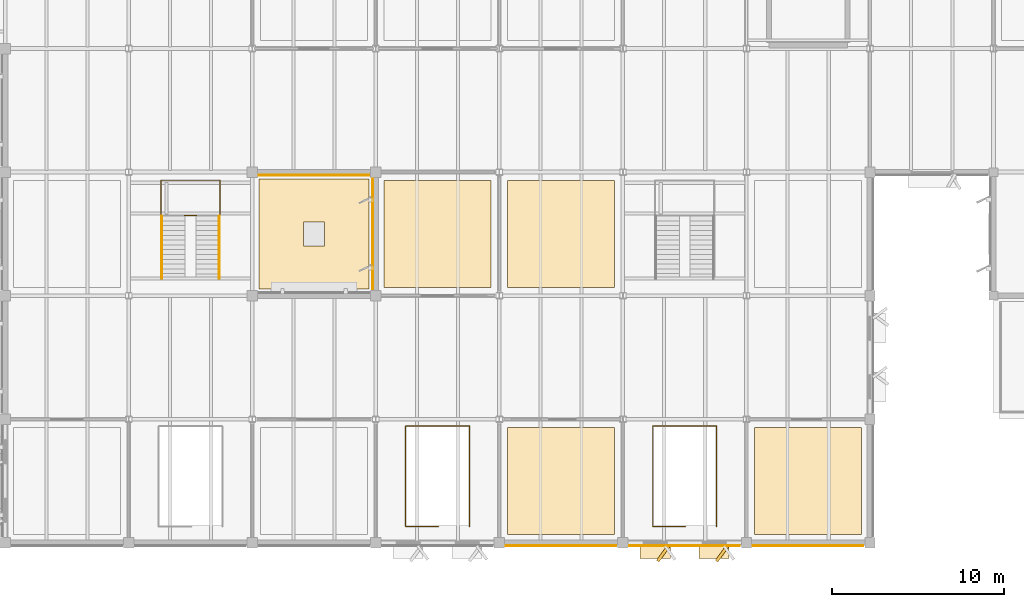
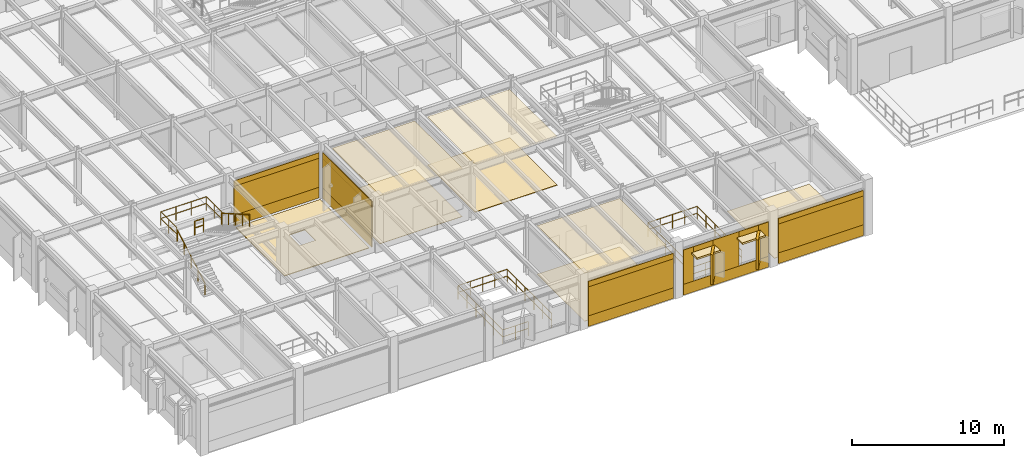
# One storey, part 81 of 92: 29 coverings, 6 railings.
"""IFC4 building model written with IfcOpenShell, lengths in metres."""

from ifc_helpers import new_model, si_unit, direction, frame, frame_2d, origin, origin_2d, place, context, subcontext, project, spatial, polyline, rectangle, circle, outline, extrude, material, layer, layer_set, type_object, element, save


model = new_model("IFC4")

# Units and contexts
model_context = context("Model", 3, precision=1e-05, world=origin(), true_north=direction((0.0, 1.0)))
body_context = subcontext(model_context, "Body", "Model", "MODEL_VIEW")
ifc_project = project(units=[si_unit("LENGTHUNIT", "METRE"), si_unit("AREAUNIT", "SQUARE_METRE"), si_unit("VOLUMEUNIT", "CUBIC_METRE"), si_unit("PLANEANGLEUNIT", "RADIAN"), si_unit("MASSUNIT", "GRAM", prefix="KILO")], contexts=[model_context])

# Site, building, storey
site_placement = place(None, origin())
site = spatial("IfcSite", under=ifc_project, at=site_placement, CompositionType="ELEMENT")
building_placement = place(site_placement, origin())
building = spatial("IfcBuilding", under=site, at=building_placement, Name="Sillqori Civic Hall", CompositionType="ELEMENT")
storey_placement = place(building_placement, frame((0.0, 0.0, 5.39990234375)))
storey = spatial("IfcBuildingStorey", under=building, at=storey_placement, Name="L02", CompositionType="ELEMENT", Elevation=5.39990234375)

# Coverings
ifc_material_1 = material(Name="Acoustic Gypsum Board Assembly 28", Category="gypsum")
ifc_layer_1 = layer(ifc_material_1, 0.028076171875)
ifc_layer_set_1 = layer_set([ifc_layer_1], Name="Acoustic Gypsum Board Assembly 28")
covering_type_1 = type_object("IfcCoveringType", Name="COV-CEIL-G28", PredefinedType="CEILING", material=ifc_layer_set_1)
covering_1_placement = place(storey_placement, frame((0.0, 0.0, 3.873046875)))
element("IfcCovering", 1, at=covering_1_placement, inside=storey, type_object=covering_type_1, Name="Atrium Exhibition Mezzanine Gallery L02-09 acoustic ceiling", PredefinedType="CEILING", context=body_context, shape_type="SweptSolid", body=[
    extrude(outline(polyline([(94.080078125, 22.080078125), (100.320068359375, 22.080078125), (100.320068359375, 28.320068359375), (94.080078125, 28.320068359375), (94.080078125, 22.080078125)])), origin(), (0.0, 0.0, 1.0), 0.028076171875),
])
ifc_material_2 = material(Name="Micro-Perforated Aluminium Plank Ceiling", Category="aluminium")
ifc_layer_2 = layer(ifc_material_2, 0.035888671875)
ifc_layer_set_2 = layer_set([ifc_layer_2], Name="Micro-Perforated Aluminium Plank Ceiling")
covering_type_2 = type_object("IfcCoveringType", Name="COV-CEIL-MET", PredefinedType="CEILING", material=ifc_layer_set_2)
covering_2_placement = place(storey_placement, frame((0.0, 0.0, 3.864990234375)))
element("IfcCovering", 2, at=covering_2_placement, inside=storey, type_object=covering_type_2, Name="Community Mediation and Legal Aid Room L02-08 acoustic ceiling", PredefinedType="CEILING", context=body_context, shape_type="SweptSolid", body=[
    extrude(outline(polyline([(94.080078125, 7.679931640625), (100.320068359375, 7.679931640625), (100.320068359375, 13.919921875), (94.080078125, 13.919921875), (94.080078125, 7.679931640625)])), origin(), (0.0, 0.0, 1.0), 0.0361328125),
])
ifc_material_3 = material(Name="Slatted Andean Cedar Acoustic Baffle", Category="timber")
ifc_layer_3 = layer(ifc_material_3, 0.0419921875)
ifc_layer_set_3 = layer_set([ifc_layer_3], Name="Slatted Andean Cedar Acoustic Baffle")
covering_type_3 = type_object("IfcCoveringType", Name="COV-CEIL-TIM", PredefinedType="CEILING", material=ifc_layer_set_3)
covering_3_placement = place(storey_placement, frame((0.0, 0.0, 3.859130859375)))
element("IfcCovering", 3, at=covering_3_placement, inside=storey, type_object=covering_type_3, Name="Citizens Tax and Property Assessment Suite L02-06 acoustic ceiling", PredefinedType="CEILING", context=body_context, shape_type="SweptSolid", body=[
    extrude(outline(polyline([(86.8798828125, 22.080078125), (93.1201171875, 22.080078125), (93.1201171875, 28.320068359375), (86.8798828125, 28.320068359375), (86.8798828125, 22.080078125)])), origin(), (0.0, 0.0, 1.0), 0.0419921875),
])
ifc_material_4 = material(Name="Cochabamba Honed Limestone Cladding", Category="masonry")
ifc_layer_4 = layer(ifc_material_4, 0.044921875)
ifc_layer_set_4 = layer_set([ifc_layer_4], Name="Cochabamba Honed Limestone Cladding")
covering_type_4 = type_object("IfcCoveringType", Name="COV-CLAD-LIME", PredefinedType="CLADDING", material=ifc_layer_set_4)
covering_4_placement = place(storey_placement, frame((86.02001953125, 28.6201171875, 0.0400390625), z_axis=(0.0, 0.0, 1.0), x_axis=(-1.0, 0.0, 0.0)))
element("IfcCovering", 4, at=covering_4_placement, inside=storey, type_object=covering_type_4, Name="L02 limestone spandrel cladding L02-11-04-S", PredefinedType="CLADDING", context=body_context, shape_type="SweptSolid", body=[
    extrude(rectangle(XDim=6.43994140625, YDim=0.044921875, at=frame_2d((3.219970703125, 0.0))), origin(), (0.0, 0.0, 1.0), 0.860107421875),
])
covering_5_placement = place(storey_placement, frame((86.02001953125, 28.6201171875, 3.22021484375), z_axis=(0.0, 0.0, 1.0), x_axis=(-1.0, 0.0, 0.0)))
element("IfcCovering", 5, at=covering_5_placement, inside=storey, type_object=covering_type_4, Name="L02 limestone frieze cladding L02-11-04-S", PredefinedType="CLADDING", context=body_context, shape_type="SweptSolid", body=[
    extrude(rectangle(XDim=6.43994140625, YDim=0.044921875, at=frame_2d((3.219970703125, 0.0))), origin(), (0.0, 0.0, 1.0), 0.43798828125),
])
covering_6_placement = place(storey_placement, frame((86.02001953125, 28.6201171875, 0.900146484375), z_axis=(0.0, 0.0, 1.0), x_axis=(-1.0, 0.0, 0.0)))
element("IfcCovering", 6, at=covering_6_placement, inside=storey, type_object=covering_type_4, Name="L02 Wedge Hall limestone pier cladding L02-11-04-S.1", PredefinedType="CLADDING", context=body_context, shape_type="SweptSolid", body=[
    extrude(rectangle(XDim=6.43994140625, YDim=0.044921875, at=frame_2d((3.219970703125, 0.0))), origin(), (0.0, 0.0, 1.0), 2.758056640625),
])
covering_7_placement = place(storey_placement, frame((86.219970703125, 21.97998046875, 0.0400390625), z_axis=(0.0, 0.0, 1.0), x_axis=(0.0, 1.0, 0.0)))
element("IfcCovering", 7, at=covering_7_placement, inside=storey, type_object=covering_type_4, Name="L02 limestone spandrel cladding L02-12-03-W", PredefinedType="CLADDING", context=body_context, shape_type="SweptSolid", body=[
    extrude(rectangle(XDim=6.43994140625, YDim=0.044921875, at=frame_2d((3.219970703125, 0.0))), origin(), (0.0, 0.0, 1.0), 0.860107421875),
])
covering_8_placement = place(storey_placement, frame((86.219970703125, 21.97998046875, 3.22021484375), z_axis=(0.0, 0.0, 1.0), x_axis=(0.0, 1.0, 0.0)))
element("IfcCovering", 8, at=covering_8_placement, inside=storey, type_object=covering_type_4, Name="L02 limestone frieze cladding L02-12-03-W", PredefinedType="CLADDING", context=body_context, shape_type="SweptSolid", body=[
    extrude(rectangle(XDim=6.43994140625, YDim=0.044921875, at=frame_2d((3.219970703125, 0.0))), origin(), (0.0, 0.0, 1.0), 0.5068359375),
])
covering_9_placement = place(storey_placement, frame((86.219970703125, 21.97998046875, 0.900146484375), z_axis=(0.0, 0.0, 1.0), x_axis=(0.0, 1.0, 0.0)))
element("IfcCovering", 9, at=covering_9_placement, inside=storey, type_object=covering_type_4, Name="L02 Wedge Hall limestone pier cladding L02-12-03-W.1", PredefinedType="CLADDING", context=body_context, shape_type="SweptSolid", body=[
    extrude(rectangle(XDim=6.43994140625, YDim=0.044921875, at=frame_2d((3.219970703125, 0.0))), origin(), (0.0, 0.0, 1.0), 2.826904296875),
])
covering_10_placement = place(storey_placement, frame((100.419921875, 7.02001953125, 0.0400390625), z_axis=(0.0, 0.0, 1.0), x_axis=(-1.0, 0.0, 0.0)))
element("IfcCovering", 10, at=covering_10_placement, inside=storey, type_object=covering_type_4, Name="L02 limestone spandrel cladding L02-13-01-S", PredefinedType="CLADDING", context=body_context, shape_type="SweptSolid", body=[
    extrude(rectangle(XDim=6.43994140625, YDim=0.044921875, at=frame_2d((3.219970703125, 0.0))), origin(), (0.0, 0.0, 1.0), 0.860107421875),
])
covering_11_placement = place(storey_placement, frame((100.419921875, 7.02001953125, 3.22021484375), z_axis=(0.0, 0.0, 1.0), x_axis=(-1.0, 0.0, 0.0)))
element("IfcCovering", 11, at=covering_11_placement, inside=storey, type_object=covering_type_4, Name="L02 limestone frieze cladding L02-13-01-S", PredefinedType="CLADDING", context=body_context, shape_type="SweptSolid", body=[
    extrude(rectangle(XDim=6.43994140625, YDim=0.044921875, at=frame_2d((3.219970703125, 0.0))), origin(), (0.0, 0.0, 1.0), 0.43798828125),
])
covering_12_placement = place(storey_placement, frame((100.419921875, 7.02001953125, 0.900146484375), z_axis=(0.0, 0.0, 1.0), x_axis=(-1.0, 0.0, 0.0)))
element("IfcCovering", 12, at=covering_12_placement, inside=storey, type_object=covering_type_4, Name="L02 Wedge Hall limestone pier cladding L02-13-01-S.1", PredefinedType="CLADDING", context=body_context, shape_type="SweptSolid", body=[
    extrude(rectangle(XDim=6.43994140625, YDim=0.044921875, at=frame_2d((3.219970703125, 0.0))), origin(), (0.0, 0.0, 1.0), 2.758056640625),
])
covering_13_placement = place(storey_placement, frame((107.6201171875, 7.02001953125, 0.0400390625), z_axis=(0.0, 0.0, 1.0), x_axis=(-1.0, 0.0, 0.0)))
element("IfcCovering", 13, at=covering_13_placement, inside=storey, type_object=covering_type_4, Name="L02 limestone spandrel cladding L02-14-01-S", PredefinedType="CLADDING", context=body_context, shape_type="SweptSolid", body=[
    extrude(rectangle(XDim=6.440185546875, YDim=0.044921875, at=frame_2d((3.22021484375, 0.0))), origin(), (0.0, 0.0, 1.0), 0.860107421875),
])
covering_14_placement = place(storey_placement, frame((107.6201171875, 7.02001953125, 3.22021484375), z_axis=(0.0, 0.0, 1.0), x_axis=(-1.0, 0.0, 0.0)))
element("IfcCovering", 14, at=covering_14_placement, inside=storey, type_object=covering_type_4, Name="L02 limestone frieze cladding L02-14-01-S", PredefinedType="CLADDING", context=body_context, shape_type="SweptSolid", body=[
    extrude(rectangle(XDim=6.440185546875, YDim=0.044921875, at=frame_2d((3.22021484375, 0.0))), origin(), (0.0, 0.0, 1.0), 0.43798828125),
])
covering_15_placement = place(storey_placement, frame((107.6201171875, 7.02001953125, 0.900146484375), z_axis=(0.0, 0.0, 1.0), x_axis=(-1.0, 0.0, 0.0)))
element("IfcCovering", 15, at=covering_15_placement, inside=storey, type_object=covering_type_4, Name="L02 Wedge Hall limestone pier cladding L02-14-01-S.1", PredefinedType="CLADDING", context=body_context, shape_type="SweptSolid", body=[
    extrude(rectangle(XDim=0.76416015625, YDim=0.044921875, at=frame_2d((0.382080078125, 0.0))), origin(), (0.0, 0.0, 1.0), 2.758056640625),
])
covering_16_placement = place(storey_placement, frame((105.3759765625, 7.02001953125, 0.900146484375), z_axis=(0.0, 0.0, 1.0), x_axis=(-1.0, 0.0, 0.0)))
element("IfcCovering", 16, at=covering_16_placement, inside=storey, type_object=covering_type_4, Name="L02 Wedge Hall limestone pier cladding L02-14-01-S.2", PredefinedType="CLADDING", context=body_context, shape_type="SweptSolid", body=[
    extrude(rectangle(XDim=1.951904296875, YDim=0.044921875, at=frame_2d((0.97607421875, 0.0))), origin(), (0.0, 0.0, 1.0), 2.758056640625),
])
covering_17_placement = place(storey_placement, frame((101.944091796875, 7.02001953125, 0.900146484375), z_axis=(0.0, 0.0, 1.0), x_axis=(-1.0, 0.0, 0.0)))
element("IfcCovering", 17, at=covering_17_placement, inside=storey, type_object=covering_type_4, Name="L02 Wedge Hall limestone pier cladding L02-14-01-S.3", PredefinedType="CLADDING", context=body_context, shape_type="SweptSolid", body=[
    extrude(rectangle(XDim=0.76416015625, YDim=0.044921875, at=frame_2d((0.382080078125, 0.0))), origin(), (0.0, 0.0, 1.0), 2.758056640625),
])
covering_18_placement = place(storey_placement, frame((106.93603515625, 7.06005859375, 0.830078125), z_axis=(0.0, 0.0, 1.0), x_axis=(-0.587805596445, -0.809002213092, 0.0)))
element("IfcCovering", 18, at=covering_18_placement, inside=storey, type_object=covering_type_4, Name="Sawtooth limestone angled reveal cheek L02-14-01-S.1", PredefinedType="CLADDING", context=body_context, shape_type="SweptSolid", body=[
    extrude(rectangle(XDim=1.150146484375, YDim=0.179931640625, at=frame_2d((0.5751953125, 0.0))), origin(), (0.0, 0.0, 1.0), 2.39990234375),
])
covering_19_placement = place(storey_placement, frame((106.99609375, 6.679931640625, 3.090087890625), z_axis=(0.0, 0.0, 1.0), x_axis=(-1.0, 0.0, 0.0)))
element("IfcCovering", 19, at=covering_19_placement, inside=storey, type_object=covering_type_4, Name="Sawtooth limestone window hood L02-14-01-S.1", PredefinedType="CLADDING", context=body_context, shape_type="SweptSolid", body=[
    extrude(rectangle(XDim=1.760009765625, YDim=0.780029296875, at=frame_2d((0.8798828125, 0.0))), origin(), (0.0, 0.0, 1.0), 0.139892578125),
])
covering_20_placement = place(storey_placement, frame((103.50390625, 7.06005859375, 0.830078125), z_axis=(0.0, 0.0, 1.0), x_axis=(-0.587805596445, -0.809002213092, 0.0)))
element("IfcCovering", 20, at=covering_20_placement, inside=storey, type_object=covering_type_4, Name="Sawtooth limestone angled reveal cheek L02-14-01-S.2", PredefinedType="CLADDING", context=body_context, shape_type="SweptSolid", body=[
    extrude(rectangle(XDim=1.150146484375, YDim=0.179931640625, at=frame_2d((0.5751953125, 0.0))), origin(), (0.0, 0.0, 1.0), 2.39990234375),
])
covering_21_placement = place(storey_placement, frame((103.56396484375, 6.679931640625, 3.090087890625), z_axis=(0.0, 0.0, 1.0), x_axis=(-1.0, 0.0, 0.0)))
element("IfcCovering", 21, at=covering_21_placement, inside=storey, type_object=covering_type_4, Name="Sawtooth limestone window hood L02-14-01-S.2", PredefinedType="CLADDING", context=body_context, shape_type="SweptSolid", body=[
    extrude(rectangle(XDim=1.760009765625, YDim=0.780029296875, at=frame_2d((0.8798828125, 0.0))), origin(), (0.0, 0.0, 1.0), 0.139892578125),
])
covering_22_placement = place(storey_placement, frame((114.820068359375, 7.02001953125, 0.0400390625), z_axis=(0.0, 0.0, 1.0), x_axis=(-1.0, 0.0, 0.0)))
element("IfcCovering", 22, at=covering_22_placement, inside=storey, type_object=covering_type_4, Name="L02 limestone spandrel cladding L02-15-01-S", PredefinedType="CLADDING", context=body_context, shape_type="SweptSolid", body=[
    extrude(rectangle(XDim=6.440185546875, YDim=0.044921875, at=frame_2d((3.22021484375, 0.0))), origin(), (0.0, 0.0, 1.0), 0.860107421875),
])
covering_23_placement = place(storey_placement, frame((114.820068359375, 7.02001953125, 3.22021484375), z_axis=(0.0, 0.0, 1.0), x_axis=(-1.0, 0.0, 0.0)))
element("IfcCovering", 23, at=covering_23_placement, inside=storey, type_object=covering_type_4, Name="L02 limestone frieze cladding L02-15-01-S", PredefinedType="CLADDING", context=body_context, shape_type="SweptSolid", body=[
    extrude(rectangle(XDim=6.440185546875, YDim=0.044921875, at=frame_2d((3.22021484375, 0.0))), origin(), (0.0, 0.0, 1.0), 0.43798828125),
])
covering_24_placement = place(storey_placement, frame((114.820068359375, 7.02001953125, 0.900146484375), z_axis=(0.0, 0.0, 1.0), x_axis=(-1.0, 0.0, 0.0)))
element("IfcCovering", 24, at=covering_24_placement, inside=storey, type_object=covering_type_4, Name="L02 Wedge Hall limestone pier cladding L02-15-01-S.1", PredefinedType="CLADDING", context=body_context, shape_type="SweptSolid", body=[
    extrude(rectangle(XDim=6.440185546875, YDim=0.044921875, at=frame_2d((3.22021484375, 0.0))), origin(), (0.0, 0.0, 1.0), 2.758056640625),
])
ifc_material_5 = material(Name="Dust-Sealed Heavy-Duty Archive Epoxy", Category="resin")
ifc_layer_5 = layer(ifc_material_5, 0.014892578125)
ifc_layer_set_5 = layer_set([ifc_layer_5], Name="Dust-Sealed Heavy-Duty Archive Epoxy")
covering_type_5 = type_object("IfcCoveringType", Name="COV-FLR-EPX", PredefinedType="FLOORING", material=ifc_layer_set_5)
covering_25_placement = place(storey_placement, origin())
element("IfcCovering", 25, at=covering_25_placement, inside=storey, type_object=covering_type_5, Name="Community Mediation and Legal Aid Room L02-08 floor finish", PredefinedType="FLOORING", context=body_context, shape_type="SweptSolid", body=[
    extrude(outline(polyline([(94.080078125, 7.679931640625), (100.320068359375, 7.679931640625), (100.320068359375, 13.919921875), (94.080078125, 13.919921875), (94.080078125, 7.679931640625)])), origin(), (0.0, 0.0, 1.0), 0.01513671875),
])
ifc_material_6 = material(Name="Vitrified Porcelain Tile 18", Category="ceramic")
ifc_layer_6 = layer(ifc_material_6, 0.01806640625)
ifc_layer_set_6 = layer_set([ifc_layer_6], Name="Vitrified Porcelain Tile 18")
covering_type_6 = type_object("IfcCoveringType", Name="COV-FLR-P18", PredefinedType="FLOORING", material=ifc_layer_set_6)
covering_26_placement = place(storey_placement, origin())
element("IfcCovering", 26, at=covering_26_placement, inside=storey, type_object=covering_type_6, Name="Building Permits Technical Review Counter L02-12 floor finish", PredefinedType="FLOORING", context=body_context, shape_type="SweptSolid", body=[
    extrude(outline(polyline([(108.47998046875, 7.679931640625), (114.719970703125, 7.679931640625), (114.719970703125, 13.919921875), (108.47998046875, 13.919921875), (108.47998046875, 7.679931640625)])), origin(), (0.0, 0.0, 1.0), 0.01806640625),
])
ifc_material_7 = material(Name="Engineered Tajibo Hardwood Flooring", Category="wood")
ifc_layer_7 = layer(ifc_material_7, 0.02587890625)
ifc_layer_set_7 = layer_set([ifc_layer_7], Name="Engineered Tajibo Hardwood Flooring")
covering_type_7 = type_object("IfcCoveringType", Name="COV-FLR-PRQ", PredefinedType="FLOORING", material=ifc_layer_set_7)
covering_27_placement = place(storey_placement, origin())
element("IfcCovering", 27, at=covering_27_placement, inside=storey, type_object=covering_type_7, Name="Citizens Tax and Property Assessment Suite L02-06 floor finish", PredefinedType="FLOORING", context=body_context, shape_type="SweptSolid", body=[
    extrude(outline(polyline([(86.8798828125, 22.080078125), (93.1201171875, 22.080078125), (93.1201171875, 28.320068359375), (86.8798828125, 28.320068359375), (86.8798828125, 22.080078125)])), origin(), (0.0, 0.0, 1.0), 0.026123046875),
])
ifc_material_8 = material(Name="Honed Comanche Sandstone Paving 38", Category="masonry")
ifc_layer_8 = layer(ifc_material_8, 0.0380859375)
ifc_layer_set_8 = layer_set([ifc_layer_8], Name="Honed Comanche Sandstone Paving 38")
covering_type_8 = type_object("IfcCoveringType", Name="COV-FLR-S38", PredefinedType="FLOORING", material=ifc_layer_set_8)
covering_28_placement = place(storey_placement, origin())
element("IfcCovering", 28, at=covering_28_placement, inside=storey, type_object=covering_type_8, Name="Atrium Exhibition Mezzanine Gallery L02-09 floor finish", PredefinedType="FLOORING", context=body_context, shape_type="SweptSolid", body=[
    extrude(outline(polyline([(94.080078125, 22.080078125), (100.320068359375, 22.080078125), (100.320068359375, 28.320068359375), (94.080078125, 28.320068359375), (94.080078125, 22.080078125)])), origin(), (0.0, 0.0, 1.0), 0.0380859375),
])
ifc_material_9 = material(Name="Insulated Standing-Seam Solar Roof Membrane", Category="membrane")
ifc_layer_9 = layer(ifc_material_9, 0.054931640625)
ifc_layer_set_9 = layer_set([ifc_layer_9], Name="Insulated Standing-Seam Solar Roof Membrane")
covering_type_9 = type_object("IfcCoveringType", Name="COV-ROOF-TPO", PredefinedType="ROOFING", material=ifc_layer_set_9)
covering_29_placement = place(storey_placement, origin())
element("IfcCovering", 29, at=covering_29_placement, inside=storey, type_object=covering_type_9, Name="L02 insulated TPO roof membrane ROOF-FLAT-L01-4", PredefinedType="ROOFING", context=body_context, shape_type="SweptSolid", body=[
    extrude(outline(polyline([(79.60009765625, 22.0), (86.0, 22.0), (86.0, 28.39990234375), (79.60009765625, 28.39990234375), (79.60009765625, 22.0)]), holes=[polyline([(82.199951171875, 24.5), (82.199951171875, 25.89990234375), (83.39990234375, 25.89990234375), (83.39990234375, 24.5), (82.199951171875, 24.5)])]), origin(), (0.0, 0.0, 1.0), 0.05517578125),
])

# Railings
ifc_material_10 = material(Name="Architectural Bronze and Tempered Glass Balustrade", Category="glass")
ifc_layer_10 = layer(ifc_material_10, 0.080078125)
ifc_layer_set_10 = layer_set([ifc_layer_10], Name="Architectural Bronze and Tempered Glass Balustrade")
railing_type_1 = type_object("IfcRailingType", Name="RLG-BALU-115", PredefinedType="BALUSTRADE", material=ifc_layer_set_10)
railing_1_placement = place(storey_placement, frame((104.4599609375, 8.139892578125, 0.0)))
element("IfcRailing", 30, at=railing_1_placement, inside=storey, type_object=railing_type_1, Name="Wedge Hall South-East Grand Stair L01-L02 upper atrium well balustrade", PredefinedType="BALUSTRADE", context=body_context, shape_type="SweptSolid", body=[
    extrude(circle(Radius=0.02392578125, at=origin_2d()), frame((0.0, 0.0, 1.1259765625), z_axis=(-1.0, 0.0, 0.0), x_axis=(0.0, -1.0, 0.0)), (0.0, 0.0, 1.0), 1.919921875),
    extrude(circle(Radius=0.02392578125, at=origin_2d()), frame((0.0, 0.0, 0.574951171875), z_axis=(-1.0, 0.0, 0.0), x_axis=(0.0, -1.0, 0.0)), (0.0, 0.0, 1.0), 1.919921875),
    extrude(circle(Radius=0.02392578125, at=origin_2d()), frame((-1.919921875, 0.0, 1.1259765625), z_axis=(0.0, 1.0, 0.0), x_axis=(-1.0, 0.0, 0.0)), (0.0, 0.0, 1.0), 5.8701171875),
    extrude(circle(Radius=0.02392578125, at=origin_2d()), frame((-1.919921875, 0.0, 0.574951171875), z_axis=(0.0, 1.0, 0.0), x_axis=(-1.0, 0.0, 0.0)), (0.0, 0.0, 1.0), 5.8701171875),
    extrude(circle(Radius=0.02392578125, at=origin_2d()), frame((-1.919921875, 5.8701171875, 1.1259765625), z_axis=(1.0, 0.0, 0.0), x_axis=(0.0, 1.0, 0.0)), (0.0, 0.0, 1.0), 3.719970703125),
    extrude(circle(Radius=0.02392578125, at=origin_2d()), frame((-1.919921875, 5.8701171875, 0.574951171875), z_axis=(1.0, 0.0, 0.0), x_axis=(0.0, 1.0, 0.0)), (0.0, 0.0, 1.0), 3.719970703125),
    extrude(circle(Radius=0.02392578125, at=origin_2d()), frame((1.800048828125, 5.8701171875, 1.1259765625), z_axis=(0.0, -1.0, 0.0), x_axis=(1.0, 0.0, 0.0)), (0.0, 0.0, 1.0), 5.8701171875),
    extrude(circle(Radius=0.02392578125, at=origin_2d()), frame((1.800048828125, 5.8701171875, 0.574951171875), z_axis=(0.0, -1.0, 0.0), x_axis=(1.0, 0.0, 0.0)), (0.0, 0.0, 1.0), 5.8701171875),
    extrude(circle(Radius=0.02099609375, at=origin_2d()), origin(), (0.0, 0.0, 1.0), 1.101806640625),
    extrude(circle(Radius=0.02099609375, at=origin_2d()), frame((-0.9599609375, 0.0, 0.0)), (0.0, 0.0, 1.0), 1.101806640625),
    extrude(circle(Radius=0.02099609375, at=origin_2d()), frame((-1.919921875, 0.0, 0.0)), (0.0, 0.0, 1.0), 1.101806640625),
    extrude(circle(Radius=0.02099609375, at=origin_2d()), frame((-1.919921875, 1.174072265625, 0.0)), (0.0, 0.0, 1.0), 1.101806640625),
    extrude(circle(Radius=0.02099609375, at=origin_2d()), frame((-1.919921875, 2.34814453125, 0.0)), (0.0, 0.0, 1.0), 1.101806640625),
    extrude(circle(Radius=0.02099609375, at=origin_2d()), frame((-1.919921875, 3.52197265625, 0.0)), (0.0, 0.0, 1.0), 1.101806640625),
    extrude(circle(Radius=0.02099609375, at=origin_2d()), frame((-1.919921875, 4.696044921875, 0.0)), (0.0, 0.0, 1.0), 1.101806640625),
    extrude(circle(Radius=0.02099609375, at=origin_2d()), frame((-1.919921875, 5.8701171875, 0.0)), (0.0, 0.0, 1.0), 1.101806640625),
    extrude(circle(Radius=0.02099609375, at=origin_2d()), frame((-0.989990234375, 5.8701171875, 0.0)), (0.0, 0.0, 1.0), 1.101806640625),
    extrude(circle(Radius=0.02099609375, at=origin_2d()), frame((-0.06005859375, 5.8701171875, 0.0)), (0.0, 0.0, 1.0), 1.101806640625),
    extrude(circle(Radius=0.02099609375, at=origin_2d()), frame((0.8701171875, 5.8701171875, 0.0)), (0.0, 0.0, 1.0), 1.101806640625),
    extrude(circle(Radius=0.02099609375, at=origin_2d()), frame((1.800048828125, 5.8701171875, 0.0)), (0.0, 0.0, 1.0), 1.101806640625),
    extrude(circle(Radius=0.02099609375, at=origin_2d()), frame((1.800048828125, 4.696044921875, 0.0)), (0.0, 0.0, 1.0), 1.101806640625),
    extrude(circle(Radius=0.02099609375, at=origin_2d()), frame((1.800048828125, 3.52197265625, 0.0)), (0.0, 0.0, 1.0), 1.101806640625),
    extrude(circle(Radius=0.02099609375, at=origin_2d()), frame((1.800048828125, 2.34814453125, 0.0)), (0.0, 0.0, 1.0), 1.101806640625),
    extrude(circle(Radius=0.02099609375, at=origin_2d()), frame((1.800048828125, 1.174072265625, 0.0)), (0.0, 0.0, 1.0), 1.101806640625),
    extrude(circle(Radius=0.02099609375, at=origin_2d()), frame((1.800048828125, 0.0, 0.0)), (0.0, 0.0, 1.0), 1.101806640625),
])
railing_2_placement = place(storey_placement, frame((90.06005859375, 8.139892578125, 0.0)))
element("IfcRailing", 31, at=railing_2_placement, inside=storey, type_object=railing_type_1, Name="Citizens Service Central Stair L01-L02 upper atrium well balustrade", PredefinedType="BALUSTRADE", context=body_context, shape_type="SweptSolid", body=[
    extrude(circle(Radius=0.02392578125, at=origin_2d()), frame((0.0, 0.0, 1.1259765625), z_axis=(-1.0, 0.0, 0.0), x_axis=(0.0, -1.0, 0.0)), (0.0, 0.0, 1.0), 1.920166015625),
    extrude(circle(Radius=0.02392578125, at=origin_2d()), frame((0.0, 0.0, 0.574951171875), z_axis=(-1.0, 0.0, 0.0), x_axis=(0.0, -1.0, 0.0)), (0.0, 0.0, 1.0), 1.920166015625),
    extrude(circle(Radius=0.02392578125, at=origin_2d()), frame((-1.920166015625, 0.0, 1.1259765625), z_axis=(0.0, 1.0, 0.0), x_axis=(-1.0, 0.0, 0.0)), (0.0, 0.0, 1.0), 5.8701171875),
    extrude(circle(Radius=0.02392578125, at=origin_2d()), frame((-1.920166015625, 0.0, 0.574951171875), z_axis=(0.0, 1.0, 0.0), x_axis=(-1.0, 0.0, 0.0)), (0.0, 0.0, 1.0), 5.8701171875),
    extrude(circle(Radius=0.02392578125, at=origin_2d()), frame((-1.920166015625, 5.8701171875, 1.1259765625), z_axis=(1.0, 0.0, 0.0), x_axis=(0.0, 1.0, 0.0)), (0.0, 0.0, 1.0), 3.72021484375),
    extrude(circle(Radius=0.02392578125, at=origin_2d()), frame((-1.920166015625, 5.8701171875, 0.574951171875), z_axis=(1.0, 0.0, 0.0), x_axis=(0.0, 1.0, 0.0)), (0.0, 0.0, 1.0), 3.72021484375),
    extrude(circle(Radius=0.02392578125, at=origin_2d()), frame((1.800048828125, 5.8701171875, 1.1259765625), z_axis=(0.0, -1.0, 0.0), x_axis=(1.0, 0.0, 0.0)), (0.0, 0.0, 1.0), 5.8701171875),
    extrude(circle(Radius=0.02392578125, at=origin_2d()), frame((1.800048828125, 5.8701171875, 0.574951171875), z_axis=(0.0, -1.0, 0.0), x_axis=(1.0, 0.0, 0.0)), (0.0, 0.0, 1.0), 5.8701171875),
    extrude(circle(Radius=0.02099609375, at=origin_2d()), origin(), (0.0, 0.0, 1.0), 1.101806640625),
    extrude(circle(Radius=0.02099609375, at=origin_2d()), frame((-0.9599609375, 0.0, 0.0)), (0.0, 0.0, 1.0), 1.101806640625),
    extrude(circle(Radius=0.02099609375, at=origin_2d()), frame((-1.920166015625, 0.0, 0.0)), (0.0, 0.0, 1.0), 1.101806640625),
    extrude(circle(Radius=0.02099609375, at=origin_2d()), frame((-1.920166015625, 1.174072265625, 0.0)), (0.0, 0.0, 1.0), 1.101806640625),
    extrude(circle(Radius=0.02099609375, at=origin_2d()), frame((-1.920166015625, 2.34814453125, 0.0)), (0.0, 0.0, 1.0), 1.101806640625),
    extrude(circle(Radius=0.02099609375, at=origin_2d()), frame((-1.920166015625, 3.52197265625, 0.0)), (0.0, 0.0, 1.0), 1.101806640625),
    extrude(circle(Radius=0.02099609375, at=origin_2d()), frame((-1.920166015625, 4.696044921875, 0.0)), (0.0, 0.0, 1.0), 1.101806640625),
    extrude(circle(Radius=0.02099609375, at=origin_2d()), frame((-1.920166015625, 5.8701171875, 0.0)), (0.0, 0.0, 1.0), 1.101806640625),
    extrude(circle(Radius=0.02099609375, at=origin_2d()), frame((-0.990234375, 5.8701171875, 0.0)), (0.0, 0.0, 1.0), 1.101806640625),
    extrude(circle(Radius=0.02099609375, at=origin_2d()), frame((-0.06005859375, 5.8701171875, 0.0)), (0.0, 0.0, 1.0), 1.101806640625),
    extrude(circle(Radius=0.02099609375, at=origin_2d()), frame((0.8701171875, 5.8701171875, 0.0)), (0.0, 0.0, 1.0), 1.101806640625),
    extrude(circle(Radius=0.02099609375, at=origin_2d()), frame((1.800048828125, 5.8701171875, 0.0)), (0.0, 0.0, 1.0), 1.101806640625),
    extrude(circle(Radius=0.02099609375, at=origin_2d()), frame((1.800048828125, 4.696044921875, 0.0)), (0.0, 0.0, 1.0), 1.101806640625),
    extrude(circle(Radius=0.02099609375, at=origin_2d()), frame((1.800048828125, 3.52197265625, 0.0)), (0.0, 0.0, 1.0), 1.101806640625),
    extrude(circle(Radius=0.02099609375, at=origin_2d()), frame((1.800048828125, 2.34814453125, 0.0)), (0.0, 0.0, 1.0), 1.101806640625),
    extrude(circle(Radius=0.02099609375, at=origin_2d()), frame((1.800048828125, 1.174072265625, 0.0)), (0.0, 0.0, 1.0), 1.101806640625),
    extrude(circle(Radius=0.02099609375, at=origin_2d()), frame((1.800048828125, 0.0, 0.0)), (0.0, 0.0, 1.0), 1.101806640625),
])
ifc_material_11 = material(Name="Brushed Stainless Steel 316 Handrail", Category="steel")
ifc_layer_11 = layer(ifc_material_11, 0.044921875)
ifc_layer_set_11 = layer_set([ifc_layer_11], Name="Brushed Stainless Steel 316 Handrail")
railing_type_2 = type_object("IfcRailingType", Name="RLG-CORE-092", PredefinedType="HANDRAIL", material=ifc_layer_set_11)
railing_3_placement = place(storey_placement, frame((73.919921875, 22.60009765625, 0.160888671875)))
element("IfcRailing", 32, at=railing_3_placement, inside=storey, type_object=railing_type_2, Name="Wedge Atrium West Gallery Stair L02-L03 handrail W", PredefinedType="HANDRAIL", context=body_context, shape_type="SweptSolid", body=[
    extrude(circle(Radius=0.02392578125, at=origin_2d()), frame((0.0, 0.0, 0.89599609375), z_axis=(0.0, 0.867300072446, 0.497785681127), x_axis=(-1.0, 0.0, 0.0)), (0.0, 0.0, 1.0), 4.19677734375),
    extrude(circle(Radius=0.02099609375, at=origin_2d()), origin(), (0.0, 0.0, 1.0), 0.871826171875),
    extrude(circle(Radius=0.02099609375, at=origin_2d()), frame((0.0, 0.909912109375, 0.522216796875)), (0.0, 0.0, 1.0), 0.871826171875),
    extrude(circle(Radius=0.02099609375, at=origin_2d()), frame((0.0, 1.81982421875, 1.04443359375)), (0.0, 0.0, 1.0), 0.871826171875),
    extrude(circle(Radius=0.02099609375, at=origin_2d()), frame((0.0, 2.72998046875, 1.56689453125)), (0.0, 0.0, 1.0), 0.871826171875),
    extrude(circle(Radius=0.02099609375, at=origin_2d()), frame((0.0, 3.639892578125, 2.089111328125)), (0.0, 0.0, 1.0), 0.871826171875),
])
railing_4_placement = place(storey_placement, frame((77.280029296875, 26.239990234375, 2.410888671875)))
element("IfcRailing", 33, at=railing_4_placement, inside=storey, type_object=railing_type_2, Name="Wedge Atrium West Gallery Stair L02-L03 handrail E", PredefinedType="HANDRAIL", context=body_context, shape_type="SweptSolid", body=[
    extrude(circle(Radius=0.02392578125, at=origin_2d()), frame((0.0, 0.0, 0.89599609375), z_axis=(0.0, -0.867300072446, 0.497785681127), x_axis=(1.0, 0.0, 0.0)), (0.0, 0.0, 1.0), 4.19677734375),
    extrude(circle(Radius=0.02099609375, at=origin_2d()), origin(), (0.0, 0.0, 1.0), 0.871826171875),
    extrude(circle(Radius=0.02099609375, at=origin_2d()), frame((0.0, -0.909912109375, 0.522216796875)), (0.0, 0.0, 1.0), 0.871826171875),
    extrude(circle(Radius=0.02099609375, at=origin_2d()), frame((0.0, -1.81982421875, 1.04443359375)), (0.0, 0.0, 1.0), 0.871826171875),
    extrude(circle(Radius=0.02099609375, at=origin_2d()), frame((0.0, -2.72998046875, 1.56689453125)), (0.0, 0.0, 1.0), 0.871826171875),
    extrude(circle(Radius=0.02099609375, at=origin_2d()), frame((0.0, -3.639892578125, 2.089111328125)), (0.0, 0.0, 1.0), 0.871826171875),
])
ifc_material_12 = material(Name="Stainless Steel 316 and Laminated Balustrade", Category="steel")
ifc_layer_12 = layer(ifc_material_12, 0.06005859375)
ifc_layer_set_12 = layer_set([ifc_layer_12], Name="Stainless Steel 316 and Laminated Balustrade")
railing_type_3 = type_object("IfcRailingType", Name="RLG-TERR-112", PredefinedType="GUARDRAIL", material=ifc_layer_set_12)
railing_5_placement = place(storey_placement, frame((73.8798828125, 26.239990234375, 2.25)))
element("IfcRailing", 34, at=railing_5_placement, inside=storey, type_object=railing_type_3, Name="Wedge Atrium West Gallery Stair L02-L03 half-landing guard", PredefinedType="GUARDRAIL", context=body_context, shape_type="SweptSolid", body=[
    extrude(circle(Radius=0.02392578125, at=origin_2d()), frame((0.0, 0.0, 1.09619140625), z_axis=(0.0, 1.0, 0.0), x_axis=(-1.0, 0.0, 0.0)), (0.0, 0.0, 1.0), 2.090087890625),
    extrude(circle(Radius=0.02392578125, at=origin_2d()), frame((0.0, 0.0, 0.56005859375), z_axis=(0.0, 1.0, 0.0), x_axis=(-1.0, 0.0, 0.0)), (0.0, 0.0, 1.0), 2.090087890625),
    extrude(circle(Radius=0.02392578125, at=origin_2d()), frame((0.0, 2.090087890625, 1.09619140625), z_axis=(1.0, 0.0, 0.0), x_axis=(0.0, 1.0, 0.0)), (0.0, 0.0, 1.0), 3.440185546875),
    extrude(circle(Radius=0.02392578125, at=origin_2d()), frame((0.0, 2.090087890625, 0.56005859375), z_axis=(1.0, 0.0, 0.0), x_axis=(0.0, 1.0, 0.0)), (0.0, 0.0, 1.0), 3.440185546875),
    extrude(circle(Radius=0.02392578125, at=origin_2d()), frame((3.440185546875, 2.090087890625, 1.09619140625), z_axis=(0.0, -1.0, 0.0), x_axis=(1.0, 0.0, 0.0)), (0.0, 0.0, 1.0), 2.090087890625),
    extrude(circle(Radius=0.02392578125, at=origin_2d()), frame((3.440185546875, 2.090087890625, 0.56005859375), z_axis=(0.0, -1.0, 0.0), x_axis=(1.0, 0.0, 0.0)), (0.0, 0.0, 1.0), 2.090087890625),
    extrude(circle(Radius=0.02099609375, at=origin_2d()), origin(), (0.0, 0.0, 1.0), 1.072021484375),
    extrude(circle(Radius=0.02099609375, at=origin_2d()), frame((0.0, 1.044921875, 0.0)), (0.0, 0.0, 1.0), 1.072021484375),
    extrude(circle(Radius=0.02099609375, at=origin_2d()), frame((0.0, 2.090087890625, 0.0)), (0.0, 0.0, 1.0), 1.072021484375),
    extrude(circle(Radius=0.02099609375, at=origin_2d()), frame((1.146728515625, 2.090087890625, 0.0)), (0.0, 0.0, 1.0), 1.072021484375),
    extrude(circle(Radius=0.02099609375, at=origin_2d()), frame((2.29345703125, 2.090087890625, 0.0)), (0.0, 0.0, 1.0), 1.072021484375),
    extrude(circle(Radius=0.02099609375, at=origin_2d()), frame((3.440185546875, 2.090087890625, 0.0)), (0.0, 0.0, 1.0), 1.072021484375),
    extrude(circle(Radius=0.02099609375, at=origin_2d()), frame((3.440185546875, 1.044921875, 0.0)), (0.0, 0.0, 1.0), 1.072021484375),
    extrude(circle(Radius=0.02099609375, at=origin_2d()), frame((3.440185546875, 0.0, 0.0)), (0.0, 0.0, 1.0), 1.072021484375),
])
railing_6_placement = place(storey_placement, frame((75.260009765625, 26.280029296875, 2.25)))
element("IfcRailing", 35, at=railing_6_placement, inside=storey, type_object=railing_type_3, Name="Wedge Atrium West Gallery Stair L02-L03 half-landing inner well guard", PredefinedType="GUARDRAIL", context=body_context, shape_type="SweptSolid", body=[
    extrude(circle(Radius=0.02392578125, at=origin_2d()), frame((0.0, 0.0, 1.09619140625), z_axis=(1.0, 0.0, 0.0), x_axis=(0.0, 1.0, 0.0)), (0.0, 0.0, 1.0), 0.679931640625),
    extrude(circle(Radius=0.02392578125, at=origin_2d()), frame((0.0, 0.0, 0.56005859375), z_axis=(1.0, 0.0, 0.0), x_axis=(0.0, 1.0, 0.0)), (0.0, 0.0, 1.0), 0.679931640625),
    extrude(circle(Radius=0.02099609375, at=origin_2d()), origin(), (0.0, 0.0, 1.0), 1.072021484375),
    extrude(circle(Radius=0.02099609375, at=origin_2d()), frame((0.679931640625, 0.0, 0.0)), (0.0, 0.0, 1.0), 1.072021484375),
])

save(model, "model.ifc")
